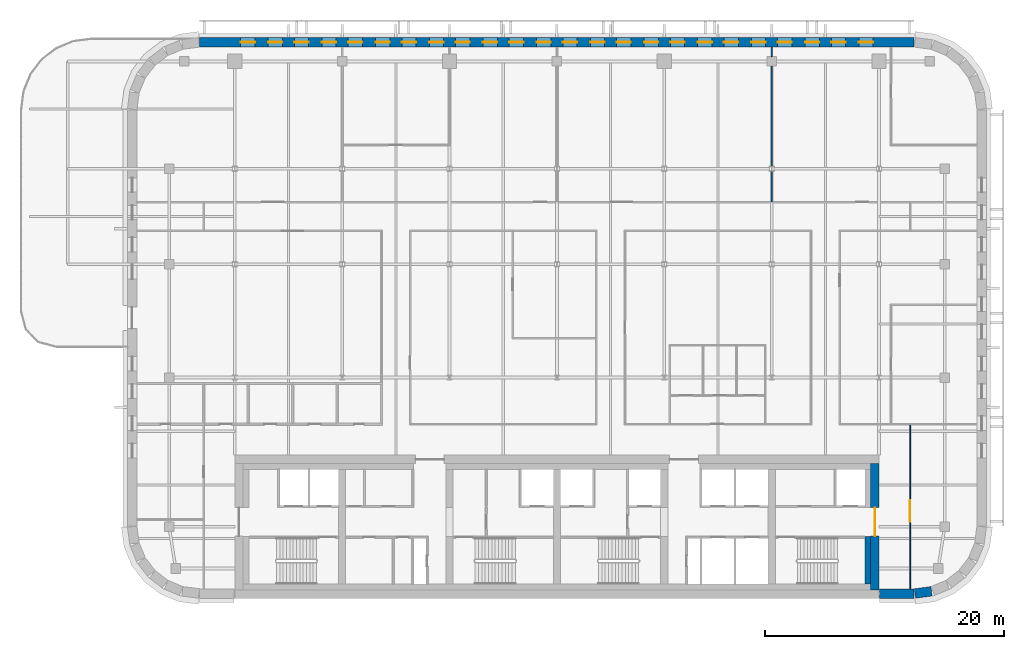
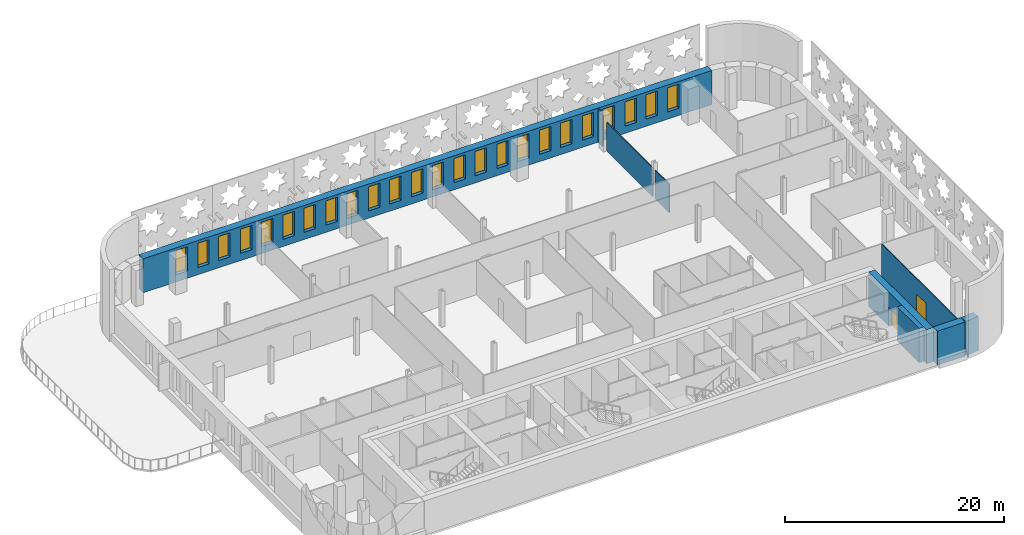
# One storey, part 10 of 17: 24 windows, 9 walls, 2 doors, 26 openings.
"""IFC4 building model written with IfcOpenShell, lengths in metres."""

from ifc_helpers import new_model, si_unit, direction, frame, frame_2d, origin, place, context, subcontext, project, spatial, rectangle, extrude, material, layer, layer_set, type_object, element, fill, save


model = new_model("IFC4")

# Units and contexts
model_context = context("Model", 3, precision=1e-05, world=origin(), true_north=direction((0.0, 1.0)))
body_context = subcontext(model_context, "Body", "Model", "MODEL_VIEW")
ifc_project = project(units=[si_unit("LENGTHUNIT", "METRE"), si_unit("AREAUNIT", "SQUARE_METRE"), si_unit("VOLUMEUNIT", "CUBIC_METRE"), si_unit("PLANEANGLEUNIT", "RADIAN"), si_unit("MASSUNIT", "GRAM", prefix="KILO")], contexts=[model_context])

# Site, building, storey
site_placement = place(None, origin())
site = spatial("IfcSite", under=ifc_project, at=site_placement, CompositionType="ELEMENT")
building_placement = place(site_placement, origin())
building = spatial("IfcBuilding", under=site, at=building_placement, Name="Zellij Exchange Tower", CompositionType="ELEMENT")
storey_placement = place(building_placement, frame((0.0, 0.0, 256.5)))
storey = spatial("IfcBuildingStorey", under=building, at=storey_placement, Name="L60", CompositionType="ELEMENT", Elevation=256.5)

# Wall
ifc_material_1 = material(Name="Concrete C30/37", Category="concrete")
ifc_layer_1 = layer(ifc_material_1, 0.5)
ifc_layer_set_1 = layer_set([ifc_layer_1], Name="Concrete C30/37")
wall_type_1 = type_object("IfcWallType", Name="CORE-LW 500 C30/37", PredefinedType="SHEAR", material=ifc_layer_set_1)
wall_1_placement = place(storey_placement, frame((26.050048828125, -12.800048828125, 0.0), z_axis=(0.0, 0.0, 1.0), x_axis=(0.0, 1.0, 0.0)))
element("IfcWall", 1, at=wall_1_placement, inside=storey, type_object=wall_type_1, Name="Core wall lining end e.0 L60", PredefinedType="SHEAR", context=body_context, shape_type="SweptSolid", body=[
    extrude(rectangle(XDim=4.0, YDim=0.5, at=frame_2d((2.0, 0.0))), origin(), (0.0, 0.0, 1.0), 3.800048828125),
])

# Wall, opening, door
ifc_material_2 = material(Name="Concrete C50/60", Category="concrete")
ifc_layer_2 = layer(ifc_material_2, 0.699951171875)
ifc_layer_set_2 = layer_set([ifc_layer_2], Name="Concrete C50/60")
wall_type_2 = type_object("IfcWallType", Name="CORE-SW 700 C50/60", PredefinedType="SHEAR", material=ifc_layer_set_2)
wall_2_placement = place(storey_placement, frame((26.64990234375, -13.300048828125, 0.0), z_axis=(0.0, 0.0, 1.0), x_axis=(0.0, 1.0, 0.0)))
wall_2 = element("IfcWall", 2, at=wall_2_placement, inside=storey, type_object=wall_type_2, Name="Core shear wall end e L60", PredefinedType="SHEAR", context=body_context, shape_type="SweptSolid", body=[
    extrude(rectangle(XDim=10.60009765625, YDim=0.699951171875, at=frame_2d((5.300048828125, 0.0))), origin(), (0.0, 0.0, 1.0), 3.800048828125),
])
opening_1_placement = place(wall_2_placement, frame((4.511962890625, 0.0, 0.0)))
opening_1 = element("IfcOpeningElement", 3, at=opening_1_placement, cuts=wall_2, Name="Opening CA-31.27", PredefinedType="OPENING", context=body_context, shape_type="SweptSolid", body=[
    extrude(rectangle(XDim=2.39990234375, YDim=2.10009765625, at=frame_2d((1.199951171875, 1.050048828125))), frame((0.0, 0.36181640625, 0.0), z_axis=(0.0, -1.0, 0.0), x_axis=(1.0, 0.0, 0.0)), (0.0, 0.0, 1.0), 0.723876953125),
])
ifc_material_3 = material(Name="Hollow metal fire door")
door_type_1 = type_object("IfcDoorType", Name="CORE-D CE Core entrance door 2400x2100 20 MIN", OperationType="NOTDEFINED", PredefinedType="DOOR", material=ifc_material_3)
door_1_placement = place(opening_1_placement, origin())
door_1 = element("IfcDoor", 4, at=door_1_placement, inside=storey, type_object=door_type_1, Name="Core entrance door CA-31.27", OperationType="DOUBLE_DOOR_SINGLE_SWING", OverallHeight=2.10009765625, OverallWidth=2.39990234375, PredefinedType="DOOR", context=body_context, shape_type="SweptSolid", body=[
    extrude(rectangle(XDim=2.39990234375, YDim=2.10009765625, at=frame_2d((1.199951171875, 1.050048828125))), frame((0.0, 0.02490234375, 0.0), z_axis=(0.0, -1.0, 0.0), x_axis=(1.0, 0.0, 0.0)), (0.0, 0.0, 1.0), 0.050048828125),
])
fill(opening_1, door_1)

# Walls
ifc_material_4 = material(Name="Precast concrete C40/50", Category="concrete")
ifc_layer_3 = layer(ifc_material_4, 0.800048828125)
ifc_layer_set_3 = layer_set([ifc_layer_3], Name="Precast concrete C40/50")
wall_type_3 = type_object("IfcWallType", Name="ENV-EW1 Precast stone-piered wall 800", PredefinedType="SOLIDWALL", material=ifc_layer_set_3)
wall_3_placement = place(storey_placement, frame((27.050048828125, -13.60009765625, 0.0), z_axis=(0.0, 0.0, 1.0), x_axis=(1.0, 0.0, 0.0)))
element("IfcWall", 5, at=wall_3_placement, inside=storey, type_object=wall_type_3, Name="fac.L60.00b", PredefinedType="SOLIDWALL", context=body_context, shape_type="SweptSolid", body=[
    extrude(rectangle(XDim=2.8974609375, YDim=0.800048828125, at=frame_2d((1.44873046875, 0.0))), origin(), (0.0, 0.0, 1.0), 3.800048828125),
])
wall_4_placement = place(storey_placement, frame((29.999755859375, -13.5966796875, 0.0), z_axis=(0.0, 0.0, 1.0), x_axis=(0.99144603414, 0.130517283865, 0.0)))
element("IfcWall", 6, at=wall_4_placement, inside=storey, type_object=wall_type_3, Name="fac.L60.01", PredefinedType="SOLIDWALL", context=body_context, shape_type="SweptSolid", body=[
    extrude(rectangle(XDim=1.408447265625, YDim=0.800048828125, at=frame_2d((0.7041015625, 0.0))), origin(), (0.0, 0.0, 1.0), 3.800048828125),
])

# Wall, openings, windows
wall_5_placement = place(storey_placement, frame((29.947509765625, 32.60009765625, 0.0), z_axis=(0.0, 0.0, 1.0), x_axis=(-1.0, 0.0, 0.0)))
wall_5 = element("IfcWall", 7, at=wall_5_placement, inside=storey, type_object=wall_type_3, Name="fac.L60.14", PredefinedType="SOLIDWALL", context=body_context, shape_type="SweptSolid", body=[
    extrude(rectangle(XDim=59.89501953125, YDim=0.800048828125, at=frame_2d((29.947509765625, 0.0))), origin(), (0.0, 0.0, 1.0), 3.800048828125),
])
opening_2_placement = place(wall_5_placement, frame((3.447509765625, 0.0, 0.800048828125)))
opening_2 = element("IfcOpeningElement", 8, at=opening_2_placement, cuts=wall_5, Name="Opening FZ4.11", PredefinedType="OPENING", context=body_context, shape_type="SweptSolid", body=[
    extrude(rectangle(XDim=1.199951171875, YDim=2.699951171875, at=frame_2d((0.60009765625, 1.35009765625))), frame((0.0, 0.412109375, 0.0), z_axis=(0.0, -1.0, 0.0), x_axis=(1.0, 0.0, 0.0)), (0.0, 0.0, 1.0), 0.823974609375),
])
opening_3_placement = place(wall_5_placement, frame((5.74755859375, 0.0, 0.800048828125)))
opening_3 = element("IfcOpeningElement", 9, at=opening_3_placement, cuts=wall_5, Name="Opening FZ4.12", PredefinedType="OPENING", context=body_context, shape_type="SweptSolid", body=[
    extrude(rectangle(XDim=1.199951171875, YDim=2.699951171875, at=frame_2d((0.60009765625, 1.35009765625))), frame((0.0, 0.412109375, 0.0), z_axis=(0.0, -1.0, 0.0), x_axis=(1.0, 0.0, 0.0)), (0.0, 0.0, 1.0), 0.823974609375),
])
opening_4_placement = place(wall_5_placement, frame((7.947509765625, 0.0, 0.800048828125)))
opening_4 = element("IfcOpeningElement", 10, at=opening_4_placement, cuts=wall_5, Name="Opening FZ4.13", PredefinedType="OPENING", context=body_context, shape_type="SweptSolid", body=[
    extrude(rectangle(XDim=1.199951171875, YDim=2.699951171875, at=frame_2d((0.60009765625, 1.35009765625))), frame((0.0, 0.412109375, 0.0), z_axis=(0.0, -1.0, 0.0), x_axis=(1.0, 0.0, 0.0)), (0.0, 0.0, 1.0), 0.823974609375),
])
opening_5_placement = place(wall_5_placement, frame((10.24755859375, 0.0, 0.800048828125)))
opening_5 = element("IfcOpeningElement", 11, at=opening_5_placement, cuts=wall_5, Name="Opening FZ4.14", PredefinedType="OPENING", context=body_context, shape_type="SweptSolid", body=[
    extrude(rectangle(XDim=1.199951171875, YDim=2.699951171875, at=frame_2d((0.60009765625, 1.35009765625))), frame((0.0, 0.412109375, 0.0), z_axis=(0.0, -1.0, 0.0), x_axis=(1.0, 0.0, 0.0)), (0.0, 0.0, 1.0), 0.823974609375),
])
opening_6_placement = place(wall_5_placement, frame((12.447509765625, 0.0, 0.800048828125)))
opening_6 = element("IfcOpeningElement", 12, at=opening_6_placement, cuts=wall_5, Name="Opening FZ4.15", PredefinedType="OPENING", context=body_context, shape_type="SweptSolid", body=[
    extrude(rectangle(XDim=1.199951171875, YDim=2.699951171875, at=frame_2d((0.60009765625, 1.35009765625))), frame((0.0, 0.412109375, 0.0), z_axis=(0.0, -1.0, 0.0), x_axis=(1.0, 0.0, 0.0)), (0.0, 0.0, 1.0), 0.823974609375),
])
opening_7_placement = place(wall_5_placement, frame((14.74755859375, 0.0, 0.800048828125)))
opening_7 = element("IfcOpeningElement", 13, at=opening_7_placement, cuts=wall_5, Name="Opening FZ4.16", PredefinedType="OPENING", context=body_context, shape_type="SweptSolid", body=[
    extrude(rectangle(XDim=1.199951171875, YDim=2.699951171875, at=frame_2d((0.60009765625, 1.35009765625))), frame((0.0, 0.412109375, 0.0), z_axis=(0.0, -1.0, 0.0), x_axis=(1.0, 0.0, 0.0)), (0.0, 0.0, 1.0), 0.823974609375),
])
opening_8_placement = place(wall_5_placement, frame((16.947509765625, 0.0, 0.800048828125)))
opening_8 = element("IfcOpeningElement", 14, at=opening_8_placement, cuts=wall_5, Name="Opening FZ4.17", PredefinedType="OPENING", context=body_context, shape_type="SweptSolid", body=[
    extrude(rectangle(XDim=1.199951171875, YDim=2.699951171875, at=frame_2d((0.60009765625, 1.35009765625))), frame((0.0, 0.412109375, 0.0), z_axis=(0.0, -1.0, 0.0), x_axis=(1.0, 0.0, 0.0)), (0.0, 0.0, 1.0), 0.823974609375),
])
opening_9_placement = place(wall_5_placement, frame((19.24755859375, 0.0, 0.800048828125)))
opening_9 = element("IfcOpeningElement", 15, at=opening_9_placement, cuts=wall_5, Name="Opening FZ4.18", PredefinedType="OPENING", context=body_context, shape_type="SweptSolid", body=[
    extrude(rectangle(XDim=1.199951171875, YDim=2.699951171875, at=frame_2d((0.60009765625, 1.35009765625))), frame((0.0, 0.412109375, 0.0), z_axis=(0.0, -1.0, 0.0), x_axis=(1.0, 0.0, 0.0)), (0.0, 0.0, 1.0), 0.823974609375),
])
opening_10_placement = place(wall_5_placement, frame((21.447509765625, 0.0, 0.800048828125)))
opening_10 = element("IfcOpeningElement", 16, at=opening_10_placement, cuts=wall_5, Name="Opening FZ4.19", PredefinedType="OPENING", context=body_context, shape_type="SweptSolid", body=[
    extrude(rectangle(XDim=1.199951171875, YDim=2.699951171875, at=frame_2d((0.60009765625, 1.35009765625))), frame((0.0, 0.412109375, 0.0), z_axis=(0.0, -1.0, 0.0), x_axis=(1.0, 0.0, 0.0)), (0.0, 0.0, 1.0), 0.823974609375),
])
opening_11_placement = place(wall_5_placement, frame((23.74755859375, 0.0, 0.800048828125)))
opening_11 = element("IfcOpeningElement", 17, at=opening_11_placement, cuts=wall_5, Name="Opening FZ4.20", PredefinedType="OPENING", context=body_context, shape_type="SweptSolid", body=[
    extrude(rectangle(XDim=1.199951171875, YDim=2.699951171875, at=frame_2d((0.60009765625, 1.35009765625))), frame((0.0, 0.412109375, 0.0), z_axis=(0.0, -1.0, 0.0), x_axis=(1.0, 0.0, 0.0)), (0.0, 0.0, 1.0), 0.823974609375),
])
opening_12_placement = place(wall_5_placement, frame((25.947509765625, 0.0, 0.800048828125)))
opening_12 = element("IfcOpeningElement", 18, at=opening_12_placement, cuts=wall_5, Name="Opening FZ4.21", PredefinedType="OPENING", context=body_context, shape_type="SweptSolid", body=[
    extrude(rectangle(XDim=1.199951171875, YDim=2.699951171875, at=frame_2d((0.60009765625, 1.35009765625))), frame((0.0, 0.412109375, 0.0), z_axis=(0.0, -1.0, 0.0), x_axis=(1.0, 0.0, 0.0)), (0.0, 0.0, 1.0), 0.823974609375),
])
opening_13_placement = place(wall_5_placement, frame((28.24755859375, 0.0, 0.800048828125)))
opening_13 = element("IfcOpeningElement", 19, at=opening_13_placement, cuts=wall_5, Name="Opening FZ4.22", PredefinedType="OPENING", context=body_context, shape_type="SweptSolid", body=[
    extrude(rectangle(XDim=1.199951171875, YDim=2.699951171875, at=frame_2d((0.60009765625, 1.35009765625))), frame((0.0, 0.412109375, 0.0), z_axis=(0.0, -1.0, 0.0), x_axis=(1.0, 0.0, 0.0)), (0.0, 0.0, 1.0), 0.823974609375),
])
opening_14_placement = place(wall_5_placement, frame((30.447509765625, 0.0, 0.800048828125)))
opening_14 = element("IfcOpeningElement", 20, at=opening_14_placement, cuts=wall_5, Name="Opening FZ4.23", PredefinedType="OPENING", context=body_context, shape_type="SweptSolid", body=[
    extrude(rectangle(XDim=1.199951171875, YDim=2.699951171875, at=frame_2d((0.60009765625, 1.35009765625))), frame((0.0, 0.412109375, 0.0), z_axis=(0.0, -1.0, 0.0), x_axis=(1.0, 0.0, 0.0)), (0.0, 0.0, 1.0), 0.823974609375),
])
opening_15_placement = place(wall_5_placement, frame((32.74755859375, 0.0, 0.800048828125)))
opening_15 = element("IfcOpeningElement", 21, at=opening_15_placement, cuts=wall_5, Name="Opening FZ4.24", PredefinedType="OPENING", context=body_context, shape_type="SweptSolid", body=[
    extrude(rectangle(XDim=1.199951171875, YDim=2.699951171875, at=frame_2d((0.60009765625, 1.35009765625))), frame((0.0, 0.412109375, 0.0), z_axis=(0.0, -1.0, 0.0), x_axis=(1.0, 0.0, 0.0)), (0.0, 0.0, 1.0), 0.823974609375),
])
opening_16_placement = place(wall_5_placement, frame((34.947509765625, 0.0, 0.800048828125)))
opening_16 = element("IfcOpeningElement", 22, at=opening_16_placement, cuts=wall_5, Name="Opening FZ4.25", PredefinedType="OPENING", context=body_context, shape_type="SweptSolid", body=[
    extrude(rectangle(XDim=1.199951171875, YDim=2.699951171875, at=frame_2d((0.60009765625, 1.35009765625))), frame((0.0, 0.412109375, 0.0), z_axis=(0.0, -1.0, 0.0), x_axis=(1.0, 0.0, 0.0)), (0.0, 0.0, 1.0), 0.823974609375),
])
opening_17_placement = place(wall_5_placement, frame((37.24755859375, 0.0, 0.800048828125)))
opening_17 = element("IfcOpeningElement", 23, at=opening_17_placement, cuts=wall_5, Name="Opening FZ4.26", PredefinedType="OPENING", context=body_context, shape_type="SweptSolid", body=[
    extrude(rectangle(XDim=1.199951171875, YDim=2.699951171875, at=frame_2d((0.60009765625, 1.35009765625))), frame((0.0, 0.412109375, 0.0), z_axis=(0.0, -1.0, 0.0), x_axis=(1.0, 0.0, 0.0)), (0.0, 0.0, 1.0), 0.823974609375),
])
opening_18_placement = place(wall_5_placement, frame((39.447509765625, 0.0, 0.800048828125)))
opening_18 = element("IfcOpeningElement", 24, at=opening_18_placement, cuts=wall_5, Name="Opening FZ4.27", PredefinedType="OPENING", context=body_context, shape_type="SweptSolid", body=[
    extrude(rectangle(XDim=1.199951171875, YDim=2.699951171875, at=frame_2d((0.60009765625, 1.35009765625))), frame((0.0, 0.412109375, 0.0), z_axis=(0.0, -1.0, 0.0), x_axis=(1.0, 0.0, 0.0)), (0.0, 0.0, 1.0), 0.823974609375),
])
opening_19_placement = place(wall_5_placement, frame((41.74755859375, 0.0, 0.800048828125)))
opening_19 = element("IfcOpeningElement", 25, at=opening_19_placement, cuts=wall_5, Name="Opening FZ4.28", PredefinedType="OPENING", context=body_context, shape_type="SweptSolid", body=[
    extrude(rectangle(XDim=1.199951171875, YDim=2.699951171875, at=frame_2d((0.60009765625, 1.35009765625))), frame((0.0, 0.412109375, 0.0), z_axis=(0.0, -1.0, 0.0), x_axis=(1.0, 0.0, 0.0)), (0.0, 0.0, 1.0), 0.823974609375),
])
opening_20_placement = place(wall_5_placement, frame((43.947509765625, 0.0, 0.800048828125)))
opening_20 = element("IfcOpeningElement", 26, at=opening_20_placement, cuts=wall_5, Name="Opening FZ4.29", PredefinedType="OPENING", context=body_context, shape_type="SweptSolid", body=[
    extrude(rectangle(XDim=1.199951171875, YDim=2.699951171875, at=frame_2d((0.60009765625, 1.35009765625))), frame((0.0, 0.412109375, 0.0), z_axis=(0.0, -1.0, 0.0), x_axis=(1.0, 0.0, 0.0)), (0.0, 0.0, 1.0), 0.823974609375),
])
opening_21_placement = place(wall_5_placement, frame((46.24755859375, 0.0, 0.800048828125)))
opening_21 = element("IfcOpeningElement", 27, at=opening_21_placement, cuts=wall_5, Name="Opening FZ4.30", PredefinedType="OPENING", context=body_context, shape_type="SweptSolid", body=[
    extrude(rectangle(XDim=1.199951171875, YDim=2.699951171875, at=frame_2d((0.60009765625, 1.35009765625))), frame((0.0, 0.412109375, 0.0), z_axis=(0.0, -1.0, 0.0), x_axis=(1.0, 0.0, 0.0)), (0.0, 0.0, 1.0), 0.823974609375),
])
opening_22_placement = place(wall_5_placement, frame((48.447509765625, 0.0, 0.800048828125)))
opening_22 = element("IfcOpeningElement", 28, at=opening_22_placement, cuts=wall_5, Name="Opening FZ4.31", PredefinedType="OPENING", context=body_context, shape_type="SweptSolid", body=[
    extrude(rectangle(XDim=1.199951171875, YDim=2.699951171875, at=frame_2d((0.60009765625, 1.35009765625))), frame((0.0, 0.412109375, 0.0), z_axis=(0.0, -1.0, 0.0), x_axis=(1.0, 0.0, 0.0)), (0.0, 0.0, 1.0), 0.823974609375),
])
opening_23_placement = place(wall_5_placement, frame((50.74755859375, 0.0, 0.800048828125)))
opening_23 = element("IfcOpeningElement", 29, at=opening_23_placement, cuts=wall_5, Name="Opening FZ4.32", PredefinedType="OPENING", context=body_context, shape_type="SweptSolid", body=[
    extrude(rectangle(XDim=1.199951171875, YDim=2.699951171875, at=frame_2d((0.60009765625, 1.35009765625))), frame((0.0, 0.412109375, 0.0), z_axis=(0.0, -1.0, 0.0), x_axis=(1.0, 0.0, 0.0)), (0.0, 0.0, 1.0), 0.823974609375),
])
opening_24_placement = place(wall_5_placement, frame((52.947509765625, 0.0, 0.800048828125)))
opening_24 = element("IfcOpeningElement", 30, at=opening_24_placement, cuts=wall_5, Name="Opening FZ4.33", PredefinedType="OPENING", context=body_context, shape_type="SweptSolid", body=[
    extrude(rectangle(XDim=1.199951171875, YDim=2.699951171875, at=frame_2d((0.60009765625, 1.35009765625))), frame((0.0, 0.412109375, 0.0), z_axis=(0.0, -1.0, 0.0), x_axis=(1.0, 0.0, 0.0)), (0.0, 0.0, 1.0), 0.823974609375),
])
opening_25_placement = place(wall_5_placement, frame((55.24755859375, 0.0, 0.800048828125)))
opening_25 = element("IfcOpeningElement", 31, at=opening_25_placement, cuts=wall_5, Name="Opening FZ4.34", PredefinedType="OPENING", context=body_context, shape_type="SweptSolid", body=[
    extrude(rectangle(XDim=1.199951171875, YDim=2.699951171875, at=frame_2d((0.60009765625, 1.35009765625))), frame((0.0, 0.412109375, 0.0), z_axis=(0.0, -1.0, 0.0), x_axis=(1.0, 0.0, 0.0)), (0.0, 0.0, 1.0), 0.823974609375),
])
ifc_material_5 = material(Name="Aluminium frame with insulating glass", Category="aluminium")
window_type = type_object("IfcWindowType", Name="ENV-W9 Window 1200x2700", PartitioningType="SINGLE_PANEL", PredefinedType="WINDOW", material=ifc_material_5)
window_1_placement = place(opening_2_placement, origin())
window_1 = element("IfcWindow", 32, at=window_1_placement, inside=storey, type_object=window_type, Name="Window FZ4.11", OverallHeight=2.699951171875, OverallWidth=1.199951171875, PartitioningType="SINGLE_PANEL", PredefinedType="WINDOW", context=body_context, shape_type="SweptSolid", body=[
    extrude(rectangle(XDim=1.199951171875, YDim=2.699951171875, at=frame_2d((0.60009765625, 1.35009765625))), frame((0.0, 0.030029296875, 0.0), z_axis=(0.0, -1.0, 0.0), x_axis=(1.0, 0.0, 0.0)), (0.0, 0.0, 1.0), 0.06005859375),
])
fill(opening_2, window_1)
window_2_placement = place(opening_3_placement, origin())
window_2 = element("IfcWindow", 33, at=window_2_placement, inside=storey, type_object=window_type, Name="Window FZ4.12", OverallHeight=2.699951171875, OverallWidth=1.199951171875, PartitioningType="SINGLE_PANEL", PredefinedType="WINDOW", context=body_context, shape_type="SweptSolid", body=[
    extrude(rectangle(XDim=1.199951171875, YDim=2.699951171875, at=frame_2d((0.60009765625, 1.35009765625))), frame((0.0, 0.030029296875, 0.0), z_axis=(0.0, -1.0, 0.0), x_axis=(1.0, 0.0, 0.0)), (0.0, 0.0, 1.0), 0.06005859375),
])
fill(opening_3, window_2)
window_3_placement = place(opening_4_placement, origin())
window_3 = element("IfcWindow", 34, at=window_3_placement, inside=storey, type_object=window_type, Name="Window FZ4.13", OverallHeight=2.699951171875, OverallWidth=1.199951171875, PartitioningType="SINGLE_PANEL", PredefinedType="WINDOW", context=body_context, shape_type="SweptSolid", body=[
    extrude(rectangle(XDim=1.199951171875, YDim=2.699951171875, at=frame_2d((0.60009765625, 1.35009765625))), frame((0.0, 0.030029296875, 0.0), z_axis=(0.0, -1.0, 0.0), x_axis=(1.0, 0.0, 0.0)), (0.0, 0.0, 1.0), 0.06005859375),
])
fill(opening_4, window_3)
window_4_placement = place(opening_5_placement, origin())
window_4 = element("IfcWindow", 35, at=window_4_placement, inside=storey, type_object=window_type, Name="Window FZ4.14", OverallHeight=2.699951171875, OverallWidth=1.199951171875, PartitioningType="SINGLE_PANEL", PredefinedType="WINDOW", context=body_context, shape_type="SweptSolid", body=[
    extrude(rectangle(XDim=1.199951171875, YDim=2.699951171875, at=frame_2d((0.60009765625, 1.35009765625))), frame((0.0, 0.030029296875, 0.0), z_axis=(0.0, -1.0, 0.0), x_axis=(1.0, 0.0, 0.0)), (0.0, 0.0, 1.0), 0.06005859375),
])
fill(opening_5, window_4)
window_5_placement = place(opening_6_placement, origin())
window_5 = element("IfcWindow", 36, at=window_5_placement, inside=storey, type_object=window_type, Name="Window FZ4.15", OverallHeight=2.699951171875, OverallWidth=1.199951171875, PartitioningType="SINGLE_PANEL", PredefinedType="WINDOW", context=body_context, shape_type="SweptSolid", body=[
    extrude(rectangle(XDim=1.199951171875, YDim=2.699951171875, at=frame_2d((0.60009765625, 1.35009765625))), frame((0.0, 0.030029296875, 0.0), z_axis=(0.0, -1.0, 0.0), x_axis=(1.0, 0.0, 0.0)), (0.0, 0.0, 1.0), 0.06005859375),
])
fill(opening_6, window_5)
window_6_placement = place(opening_7_placement, origin())
window_6 = element("IfcWindow", 37, at=window_6_placement, inside=storey, type_object=window_type, Name="Window FZ4.16", OverallHeight=2.699951171875, OverallWidth=1.199951171875, PartitioningType="SINGLE_PANEL", PredefinedType="WINDOW", context=body_context, shape_type="SweptSolid", body=[
    extrude(rectangle(XDim=1.199951171875, YDim=2.699951171875, at=frame_2d((0.60009765625, 1.35009765625))), frame((0.0, 0.030029296875, 0.0), z_axis=(0.0, -1.0, 0.0), x_axis=(1.0, 0.0, 0.0)), (0.0, 0.0, 1.0), 0.06005859375),
])
fill(opening_7, window_6)
window_7_placement = place(opening_8_placement, origin())
window_7 = element("IfcWindow", 38, at=window_7_placement, inside=storey, type_object=window_type, Name="Window FZ4.17", OverallHeight=2.699951171875, OverallWidth=1.199951171875, PartitioningType="SINGLE_PANEL", PredefinedType="WINDOW", context=body_context, shape_type="SweptSolid", body=[
    extrude(rectangle(XDim=1.199951171875, YDim=2.699951171875, at=frame_2d((0.60009765625, 1.35009765625))), frame((0.0, 0.030029296875, 0.0), z_axis=(0.0, -1.0, 0.0), x_axis=(1.0, 0.0, 0.0)), (0.0, 0.0, 1.0), 0.06005859375),
])
fill(opening_8, window_7)
window_8_placement = place(opening_9_placement, origin())
window_8 = element("IfcWindow", 39, at=window_8_placement, inside=storey, type_object=window_type, Name="Window FZ4.18", OverallHeight=2.699951171875, OverallWidth=1.199951171875, PartitioningType="SINGLE_PANEL", PredefinedType="WINDOW", context=body_context, shape_type="SweptSolid", body=[
    extrude(rectangle(XDim=1.199951171875, YDim=2.699951171875, at=frame_2d((0.60009765625, 1.35009765625))), frame((0.0, 0.030029296875, 0.0), z_axis=(0.0, -1.0, 0.0), x_axis=(1.0, 0.0, 0.0)), (0.0, 0.0, 1.0), 0.06005859375),
])
fill(opening_9, window_8)
window_9_placement = place(opening_10_placement, origin())
window_9 = element("IfcWindow", 40, at=window_9_placement, inside=storey, type_object=window_type, Name="Window FZ4.19", OverallHeight=2.699951171875, OverallWidth=1.199951171875, PartitioningType="SINGLE_PANEL", PredefinedType="WINDOW", context=body_context, shape_type="SweptSolid", body=[
    extrude(rectangle(XDim=1.199951171875, YDim=2.699951171875, at=frame_2d((0.60009765625, 1.35009765625))), frame((0.0, 0.030029296875, 0.0), z_axis=(0.0, -1.0, 0.0), x_axis=(1.0, 0.0, 0.0)), (0.0, 0.0, 1.0), 0.06005859375),
])
fill(opening_10, window_9)
window_10_placement = place(opening_11_placement, origin())
window_10 = element("IfcWindow", 41, at=window_10_placement, inside=storey, type_object=window_type, Name="Window FZ4.20", OverallHeight=2.699951171875, OverallWidth=1.199951171875, PartitioningType="SINGLE_PANEL", PredefinedType="WINDOW", context=body_context, shape_type="SweptSolid", body=[
    extrude(rectangle(XDim=1.199951171875, YDim=2.699951171875, at=frame_2d((0.60009765625, 1.35009765625))), frame((0.0, 0.030029296875, 0.0), z_axis=(0.0, -1.0, 0.0), x_axis=(1.0, 0.0, 0.0)), (0.0, 0.0, 1.0), 0.06005859375),
])
fill(opening_11, window_10)
window_11_placement = place(opening_12_placement, origin())
window_11 = element("IfcWindow", 42, at=window_11_placement, inside=storey, type_object=window_type, Name="Window FZ4.21", OverallHeight=2.699951171875, OverallWidth=1.199951171875, PartitioningType="SINGLE_PANEL", PredefinedType="WINDOW", context=body_context, shape_type="SweptSolid", body=[
    extrude(rectangle(XDim=1.199951171875, YDim=2.699951171875, at=frame_2d((0.60009765625, 1.35009765625))), frame((0.0, 0.030029296875, 0.0), z_axis=(0.0, -1.0, 0.0), x_axis=(1.0, 0.0, 0.0)), (0.0, 0.0, 1.0), 0.06005859375),
])
fill(opening_12, window_11)
window_12_placement = place(opening_13_placement, origin())
window_12 = element("IfcWindow", 43, at=window_12_placement, inside=storey, type_object=window_type, Name="Window FZ4.22", OverallHeight=2.699951171875, OverallWidth=1.199951171875, PartitioningType="SINGLE_PANEL", PredefinedType="WINDOW", context=body_context, shape_type="SweptSolid", body=[
    extrude(rectangle(XDim=1.199951171875, YDim=2.699951171875, at=frame_2d((0.60009765625, 1.35009765625))), frame((0.0, 0.030029296875, 0.0), z_axis=(0.0, -1.0, 0.0), x_axis=(1.0, 0.0, 0.0)), (0.0, 0.0, 1.0), 0.06005859375),
])
fill(opening_13, window_12)
window_13_placement = place(opening_14_placement, origin())
window_13 = element("IfcWindow", 44, at=window_13_placement, inside=storey, type_object=window_type, Name="Window FZ4.23", OverallHeight=2.699951171875, OverallWidth=1.199951171875, PartitioningType="SINGLE_PANEL", PredefinedType="WINDOW", context=body_context, shape_type="SweptSolid", body=[
    extrude(rectangle(XDim=1.199951171875, YDim=2.699951171875, at=frame_2d((0.60009765625, 1.35009765625))), frame((0.0, 0.030029296875, 0.0), z_axis=(0.0, -1.0, 0.0), x_axis=(1.0, 0.0, 0.0)), (0.0, 0.0, 1.0), 0.06005859375),
])
fill(opening_14, window_13)
window_14_placement = place(opening_15_placement, origin())
window_14 = element("IfcWindow", 45, at=window_14_placement, inside=storey, type_object=window_type, Name="Window FZ4.24", OverallHeight=2.699951171875, OverallWidth=1.199951171875, PartitioningType="SINGLE_PANEL", PredefinedType="WINDOW", context=body_context, shape_type="SweptSolid", body=[
    extrude(rectangle(XDim=1.199951171875, YDim=2.699951171875, at=frame_2d((0.60009765625, 1.35009765625))), frame((0.0, 0.030029296875, 0.0), z_axis=(0.0, -1.0, 0.0), x_axis=(1.0, 0.0, 0.0)), (0.0, 0.0, 1.0), 0.06005859375),
])
fill(opening_15, window_14)
window_15_placement = place(opening_16_placement, origin())
window_15 = element("IfcWindow", 46, at=window_15_placement, inside=storey, type_object=window_type, Name="Window FZ4.25", OverallHeight=2.699951171875, OverallWidth=1.199951171875, PartitioningType="SINGLE_PANEL", PredefinedType="WINDOW", context=body_context, shape_type="SweptSolid", body=[
    extrude(rectangle(XDim=1.199951171875, YDim=2.699951171875, at=frame_2d((0.60009765625, 1.35009765625))), frame((0.0, 0.030029296875, 0.0), z_axis=(0.0, -1.0, 0.0), x_axis=(1.0, 0.0, 0.0)), (0.0, 0.0, 1.0), 0.06005859375),
])
fill(opening_16, window_15)
window_16_placement = place(opening_17_placement, origin())
window_16 = element("IfcWindow", 47, at=window_16_placement, inside=storey, type_object=window_type, Name="Window FZ4.26", OverallHeight=2.699951171875, OverallWidth=1.199951171875, PartitioningType="SINGLE_PANEL", PredefinedType="WINDOW", context=body_context, shape_type="SweptSolid", body=[
    extrude(rectangle(XDim=1.199951171875, YDim=2.699951171875, at=frame_2d((0.60009765625, 1.35009765625))), frame((0.0, 0.030029296875, 0.0), z_axis=(0.0, -1.0, 0.0), x_axis=(1.0, 0.0, 0.0)), (0.0, 0.0, 1.0), 0.06005859375),
])
fill(opening_17, window_16)
window_17_placement = place(opening_18_placement, origin())
window_17 = element("IfcWindow", 48, at=window_17_placement, inside=storey, type_object=window_type, Name="Window FZ4.27", OverallHeight=2.699951171875, OverallWidth=1.199951171875, PartitioningType="SINGLE_PANEL", PredefinedType="WINDOW", context=body_context, shape_type="SweptSolid", body=[
    extrude(rectangle(XDim=1.199951171875, YDim=2.699951171875, at=frame_2d((0.60009765625, 1.35009765625))), frame((0.0, 0.030029296875, 0.0), z_axis=(0.0, -1.0, 0.0), x_axis=(1.0, 0.0, 0.0)), (0.0, 0.0, 1.0), 0.06005859375),
])
fill(opening_18, window_17)
window_18_placement = place(opening_19_placement, origin())
window_18 = element("IfcWindow", 49, at=window_18_placement, inside=storey, type_object=window_type, Name="Window FZ4.28", OverallHeight=2.699951171875, OverallWidth=1.199951171875, PartitioningType="SINGLE_PANEL", PredefinedType="WINDOW", context=body_context, shape_type="SweptSolid", body=[
    extrude(rectangle(XDim=1.199951171875, YDim=2.699951171875, at=frame_2d((0.60009765625, 1.35009765625))), frame((0.0, 0.030029296875, 0.0), z_axis=(0.0, -1.0, 0.0), x_axis=(1.0, 0.0, 0.0)), (0.0, 0.0, 1.0), 0.06005859375),
])
fill(opening_19, window_18)
window_19_placement = place(opening_20_placement, origin())
window_19 = element("IfcWindow", 50, at=window_19_placement, inside=storey, type_object=window_type, Name="Window FZ4.29", OverallHeight=2.699951171875, OverallWidth=1.199951171875, PartitioningType="SINGLE_PANEL", PredefinedType="WINDOW", context=body_context, shape_type="SweptSolid", body=[
    extrude(rectangle(XDim=1.199951171875, YDim=2.699951171875, at=frame_2d((0.60009765625, 1.35009765625))), frame((0.0, 0.030029296875, 0.0), z_axis=(0.0, -1.0, 0.0), x_axis=(1.0, 0.0, 0.0)), (0.0, 0.0, 1.0), 0.06005859375),
])
fill(opening_20, window_19)
window_20_placement = place(opening_21_placement, origin())
window_20 = element("IfcWindow", 51, at=window_20_placement, inside=storey, type_object=window_type, Name="Window FZ4.30", OverallHeight=2.699951171875, OverallWidth=1.199951171875, PartitioningType="SINGLE_PANEL", PredefinedType="WINDOW", context=body_context, shape_type="SweptSolid", body=[
    extrude(rectangle(XDim=1.199951171875, YDim=2.699951171875, at=frame_2d((0.60009765625, 1.35009765625))), frame((0.0, 0.030029296875, 0.0), z_axis=(0.0, -1.0, 0.0), x_axis=(1.0, 0.0, 0.0)), (0.0, 0.0, 1.0), 0.06005859375),
])
fill(opening_21, window_20)
window_21_placement = place(opening_22_placement, origin())
window_21 = element("IfcWindow", 52, at=window_21_placement, inside=storey, type_object=window_type, Name="Window FZ4.31", OverallHeight=2.699951171875, OverallWidth=1.199951171875, PartitioningType="SINGLE_PANEL", PredefinedType="WINDOW", context=body_context, shape_type="SweptSolid", body=[
    extrude(rectangle(XDim=1.199951171875, YDim=2.699951171875, at=frame_2d((0.60009765625, 1.35009765625))), frame((0.0, 0.030029296875, 0.0), z_axis=(0.0, -1.0, 0.0), x_axis=(1.0, 0.0, 0.0)), (0.0, 0.0, 1.0), 0.06005859375),
])
fill(opening_22, window_21)
window_22_placement = place(opening_23_placement, origin())
window_22 = element("IfcWindow", 53, at=window_22_placement, inside=storey, type_object=window_type, Name="Window FZ4.32", OverallHeight=2.699951171875, OverallWidth=1.199951171875, PartitioningType="SINGLE_PANEL", PredefinedType="WINDOW", context=body_context, shape_type="SweptSolid", body=[
    extrude(rectangle(XDim=1.199951171875, YDim=2.699951171875, at=frame_2d((0.60009765625, 1.35009765625))), frame((0.0, 0.030029296875, 0.0), z_axis=(0.0, -1.0, 0.0), x_axis=(1.0, 0.0, 0.0)), (0.0, 0.0, 1.0), 0.06005859375),
])
fill(opening_23, window_22)
window_23_placement = place(opening_24_placement, origin())
window_23 = element("IfcWindow", 54, at=window_23_placement, inside=storey, type_object=window_type, Name="Window FZ4.33", OverallHeight=2.699951171875, OverallWidth=1.199951171875, PartitioningType="SINGLE_PANEL", PredefinedType="WINDOW", context=body_context, shape_type="SweptSolid", body=[
    extrude(rectangle(XDim=1.199951171875, YDim=2.699951171875, at=frame_2d((0.60009765625, 1.35009765625))), frame((0.0, 0.030029296875, 0.0), z_axis=(0.0, -1.0, 0.0), x_axis=(1.0, 0.0, 0.0)), (0.0, 0.0, 1.0), 0.06005859375),
])
fill(opening_24, window_23)
window_24_placement = place(opening_25_placement, origin())
window_24 = element("IfcWindow", 55, at=window_24_placement, inside=storey, type_object=window_type, Name="Window FZ4.34", OverallHeight=2.699951171875, OverallWidth=1.199951171875, PartitioningType="SINGLE_PANEL", PredefinedType="WINDOW", context=body_context, shape_type="SweptSolid", body=[
    extrude(rectangle(XDim=1.199951171875, YDim=2.699951171875, at=frame_2d((0.60009765625, 1.35009765625))), frame((0.0, 0.030029296875, 0.0), z_axis=(0.0, -1.0, 0.0), x_axis=(1.0, 0.0, 0.0)), (0.0, 0.0, 1.0), 0.06005859375),
])
fill(opening_25, window_24)

# Wall, opening, door
ifc_material_6 = material(Name="Gypsum board partition on steel studs", Category="steel")
ifc_layer_4 = layer(ifc_material_6, 0.10009765625)
ifc_layer_set_4 = layer_set([ifc_layer_4], Name="Gypsum board partition on steel studs")
wall_type_4 = type_object("IfcWallType", Name="FIT-PARTITION-100", PredefinedType="PARTITIONING", material=ifc_layer_set_4)
wall_6_placement = place(storey_placement, frame((29.60009765625, -13.199951171875, 0.0), z_axis=(0.0, 0.0, 1.0), x_axis=(0.0, 1.0, 0.0)))
wall_6 = element("IfcWall", 56, at=wall_6_placement, inside=storey, type_object=wall_type_4, Name="FIT-PARTITION-100 002", PredefinedType="PARTITIONING", context=body_context, shape_type="SweptSolid", body=[
    extrude(rectangle(XDim=13.75, YDim=0.10009765625, at=frame_2d((6.875, 0.0))), origin(), (0.0, 0.0, 1.0), 3.800048828125),
])
opening_26_placement = place(wall_6_placement, frame((5.60009765625, 0.0, 0.0)))
opening_26 = element("IfcOpeningElement", 57, at=opening_26_placement, cuts=wall_6, Name="Opening O4E.01", PredefinedType="OPENING", context=body_context, shape_type="SweptSolid", body=[
    extrude(rectangle(XDim=1.800048828125, YDim=2.10009765625, at=frame_2d((0.89990234375, 1.050048828125))), frame((0.0, 0.06201171875, 0.0), z_axis=(0.0, -1.0, 0.0), x_axis=(1.0, 0.0, 0.0)), (0.0, 0.0, 1.0), 0.1240234375),
])
ifc_material_7 = material(Name="Timber door set", Category="wood")
door_type_2 = type_object("IfcDoorType", Name="FIT-D3-DOUBLE-1800X2100", OperationType="DOUBLE_DOOR_SINGLE_SWING", PredefinedType="DOOR", material=ifc_material_7)
door_2_placement = place(opening_26_placement, origin())
door_2 = element("IfcDoor", 58, at=door_2_placement, inside=storey, type_object=door_type_2, Name="Door O4E.01", OperationType="DOUBLE_DOOR_SINGLE_SWING", OverallHeight=2.10009765625, OverallWidth=1.800048828125, PredefinedType="DOOR", context=body_context, shape_type="SweptSolid", body=[
    extrude(rectangle(XDim=1.800048828125, YDim=2.10009765625, at=frame_2d((0.89990234375, 1.050048828125))), frame((0.0, 0.02490234375, 0.0), z_axis=(0.0, -1.0, 0.0), x_axis=(1.0, 0.0, 0.0)), (0.0, 0.0, 1.0), 0.050048828125),
])
fill(opening_26, door_2)

# Walls
wall_7_placement = place(storey_placement, frame((18.0, 19.25, 0.0), z_axis=(0.0, 0.0, 1.0), x_axis=(0.0, 1.0, 0.0)))
element("IfcWall", 59, at=wall_7_placement, inside=storey, type_object=wall_type_4, Name="FIT-PARTITION-100 047", PredefinedType="PARTITIONING", context=body_context, shape_type="SweptSolid", body=[
    extrude(rectangle(XDim=2.556884765625, YDim=0.10009765625, at=frame_2d((1.2783203125, 0.0))), origin(), (0.0, 0.0, 1.0), 3.19287109375),
])
wall_8_placement = place(storey_placement, frame((18.0, 22.193115234375, 0.0), z_axis=(0.0, 0.0, 1.0), x_axis=(0.0, 1.0, 0.0)))
element("IfcWall", 60, at=wall_8_placement, inside=storey, type_object=wall_type_4, Name="FIT-PARTITION-100 048", PredefinedType="PARTITIONING", context=body_context, shape_type="SweptSolid", body=[
    extrude(rectangle(XDim=8.406982421875, YDim=0.10009765625, at=frame_2d((4.20361328125, 0.0))), origin(), (0.0, 0.0, 1.0), 3.19287109375),
])
wall_9_placement = place(storey_placement, frame((18.0, 31.39990234375, 0.0), z_axis=(0.0, 0.0, 1.0), x_axis=(0.0, 1.0, 0.0)))
element("IfcWall", 61, at=wall_9_placement, inside=storey, type_object=wall_type_4, Name="FIT-PARTITION-100 049", PredefinedType="PARTITIONING", context=body_context, shape_type="SweptSolid", body=[
    extrude(rectangle(XDim=0.800048828125, YDim=0.10009765625, at=frame_2d((0.39990234375, 0.0))), origin(), (0.0, 0.0, 1.0), 3.800048828125),
])

save(model, "model.ifc")
